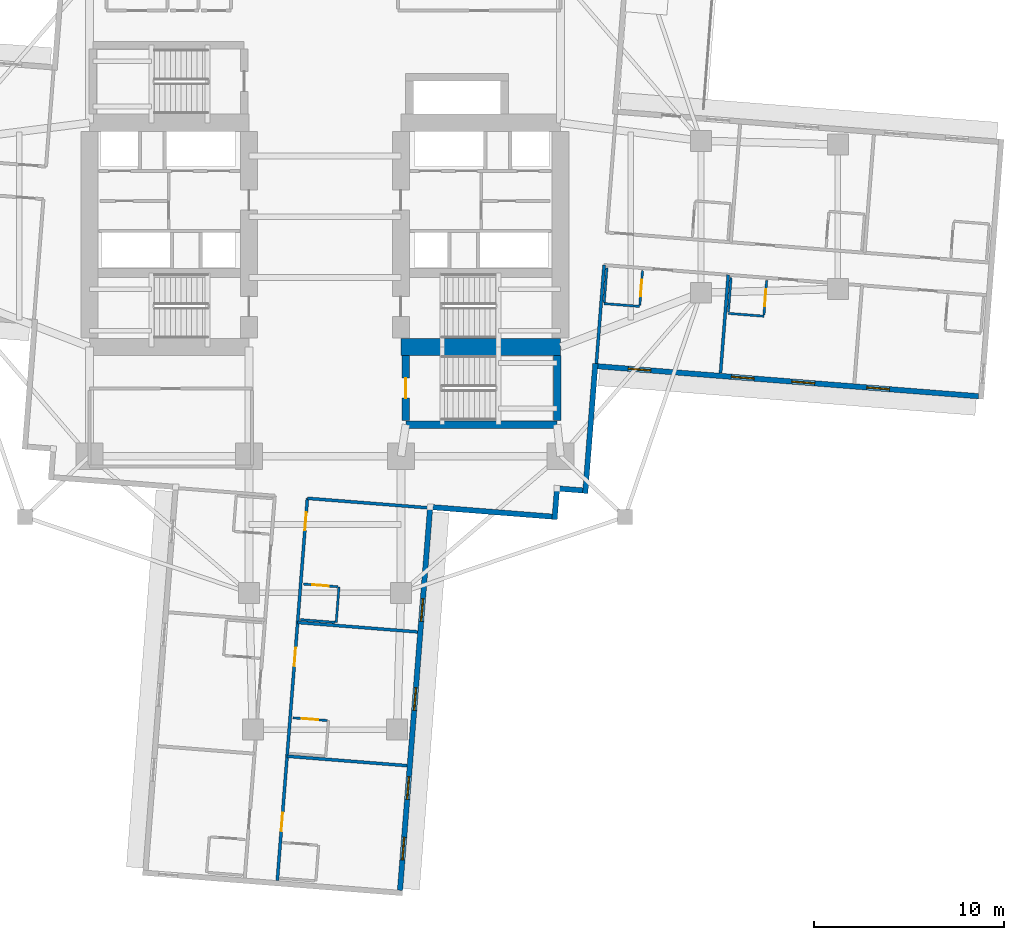
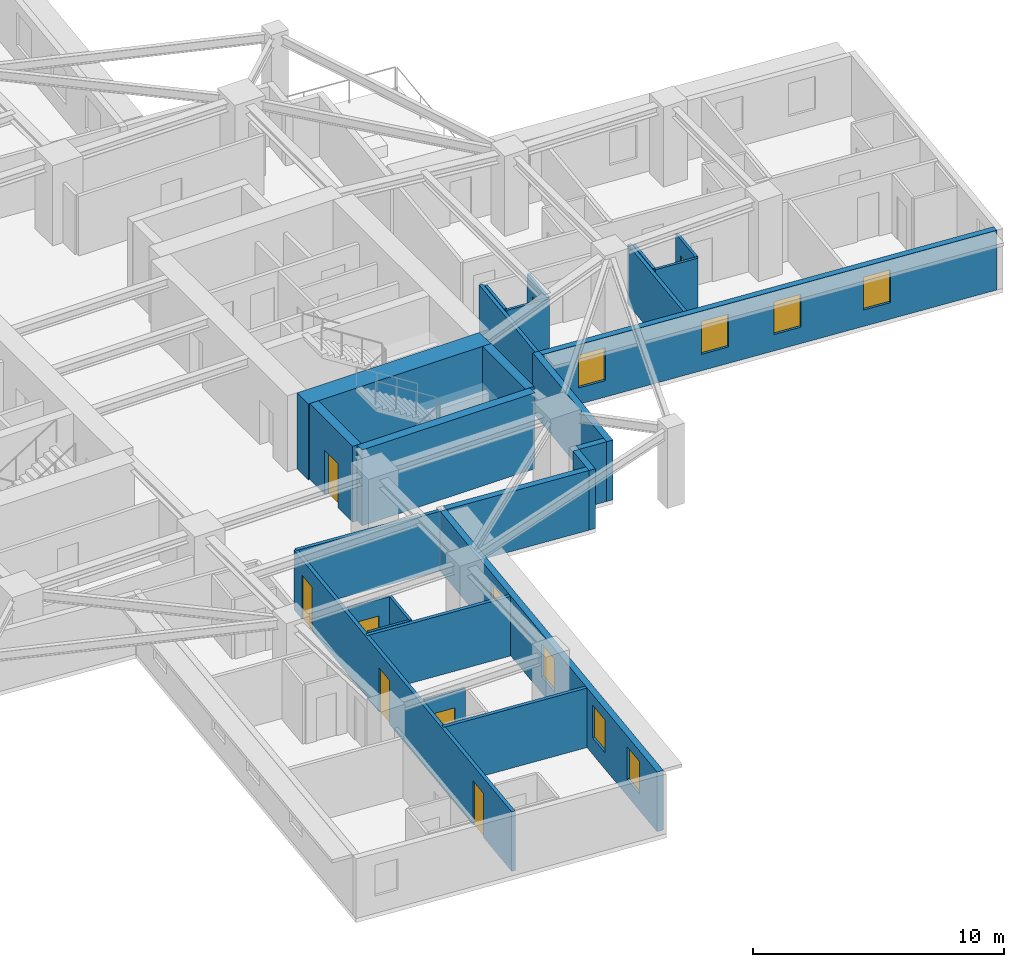
# One storey, part 4 of 14: 26 walls, 8 doors, 8 windows, 16 openings.
"""IFC4 building model written with IfcOpenShell, lengths in metres."""

from ifc_helpers import new_model, si_unit, direction, frame, frame_2d, origin, place, context, subcontext, project, spatial, rectangle, extrude, material, layer, layer_set, type_object, element, fill, save


model = new_model("IFC4")

# Units and contexts
model_context = context("Model", 3, precision=1e-05, world=origin(), true_north=direction((0.0, 1.0)))
body_context = subcontext(model_context, "Body", "Model", "MODEL_VIEW")
ifc_project = project(units=[si_unit("LENGTHUNIT", "METRE"), si_unit("AREAUNIT", "SQUARE_METRE"), si_unit("VOLUMEUNIT", "CUBIC_METRE"), si_unit("PLANEANGLEUNIT", "RADIAN"), si_unit("MASSUNIT", "GRAM", prefix="KILO")], contexts=[model_context])

# Site, building, storey
site_placement = place(None, origin())
site = spatial("IfcSite", under=ifc_project, at=site_placement, CompositionType="ELEMENT")
building_placement = place(site_placement, origin())
building = spatial("IfcBuilding", under=site, at=building_placement, Name="Qingluan Cross Belvedere", CompositionType="ELEMENT")
storey_placement = place(building_placement, frame((0.0, 0.0, 83.39990234375)))
storey = spatial("IfcBuildingStorey", under=building, at=storey_placement, Name="L21", CompositionType="ELEMENT", Elevation=83.39990234375)

# Wall
ifc_material_1 = material(Name="Concrete C50", Category="concrete")
ifc_layer_1 = layer(ifc_material_1, 0.449951171875, Name="CoreShearWall_450")
ifc_layer_set_1 = layer_set([ifc_layer_1], Name="Concrete C50")
wall_type_1 = type_object("IfcWallType", Name="CoreShearWall_450", PredefinedType="SHEAR", material=ifc_layer_set_1)
wall_1_placement = place(storey_placement, frame((4.260009765625, -10.93994140625, 0.0), z_axis=(0.0, 0.0, 1.0), x_axis=(1.0, 0.0, 0.0)))
element("IfcWall", 1, at=wall_1_placement, inside=storey, type_object=wall_type_1, Name="Stair ST4 structural wall S L21", PredefinedType="SHEAR", context=body_context, shape_type="SweptSolid", body=[
    extrude(rectangle(XDim=7.9599609375, YDim=0.39990234375, at=frame_2d((3.97998046875, 0.0))), origin(), (0.0, 0.0, 1.0), 3.7001953125),
])

# Wall, opening, door
wall_2_placement = place(storey_placement, frame((4.260009765625, -10.735107421875, 0.0), z_axis=(0.0, 0.0, 1.0), x_axis=(0.0, 1.0, 0.0)))
wall_2 = element("IfcWall", 2, at=wall_2_placement, inside=storey, type_object=wall_type_1, Name="Stair ST4 structural wall W L21", PredefinedType="SHEAR", context=body_context, shape_type="SweptSolid", body=[
    extrude(rectangle(XDim=3.43017578125, YDim=0.39990234375, at=frame_2d((1.715087890625, 0.0))), origin(), (0.0, 0.0, 1.0), 3.7001953125),
])
opening_1_placement = place(wall_2_placement, frame((1.18505859375, 0.0, 0.0)))
opening_1 = element("IfcOpeningElement", 3, at=opening_1_placement, cuts=wall_2, Name="Opening FD-B11", PredefinedType="OPENING", context=body_context, shape_type="SweptSolid", body=[
    extrude(rectangle(XDim=1.050048828125, YDim=2.14990234375, at=frame_2d((0.52490234375, 1.074951171875))), frame((0.0, 0.2099609375, 0.0), z_axis=(0.0, -1.0, 0.0), x_axis=(1.0, 0.0, 0.0)), (0.0, 0.0, 1.0), 0.419921875),
])
ifc_material_2 = material(Name="Steel Class B smoke-seal fire door", Category="steel")
door_type_1 = type_object("IfcDoorType", Name="StairLobbyFireDoor_FDB", OperationType="NOTDEFINED", PredefinedType="DOOR", material=ifc_material_2)
door_1_placement = place(opening_1_placement, origin())
door_1 = element("IfcDoor", 4, at=door_1_placement, inside=storey, type_object=door_type_1, Name="Smoke-proof stair ST4 fire door L21", OperationType="SINGLE_SWING_LEFT", OverallHeight=2.14990234375, OverallWidth=1.050048828125, PredefinedType="DOOR", context=body_context, shape_type="SweptSolid", body=[
    extrude(rectangle(XDim=1.050048828125, YDim=2.14990234375, at=frame_2d((0.52490234375, 1.074951171875))), frame((0.0, 0.02490234375, 0.0), z_axis=(0.0, -1.0, 0.0), x_axis=(1.0, 0.0, 0.0)), (0.0, 0.0, 1.0), 0.050048828125),
])
fill(opening_1, door_1)

# Walls
wall_3_placement = place(storey_placement, frame((12.219970703125, -10.735107421875, 0.0), z_axis=(0.0, 0.0, 1.0), x_axis=(0.0, 1.0, 0.0)))
element("IfcWall", 5, at=wall_3_placement, inside=storey, type_object=wall_type_1, Name="Stair ST4 structural wall E L21", PredefinedType="SHEAR", context=body_context, shape_type="SweptSolid", body=[
    extrude(rectangle(XDim=3.43017578125, YDim=0.39990234375, at=frame_2d((1.715087890625, 0.0))), origin(), (0.0, 0.0, 1.0), 3.7001953125),
])
ifc_material_3 = material(Name="Concrete C70", Category="concrete")
ifc_layer_2 = layer(ifc_material_3, 0.89990234375, Name="CoreShearWall_900")
ifc_layer_set_2 = layer_set([ifc_layer_2], Name="Concrete C70")
wall_type_2 = type_object("IfcWallType", Name="CoreShearWall_900", PredefinedType="SHEAR", material=ifc_layer_set_2)
wall_4_placement = place(storey_placement, frame((4.0, -6.85009765625, 0.0), z_axis=(0.0, 0.0, 1.0), x_axis=(1.0, 0.0, 0.0)))
element("IfcWall", 6, at=wall_4_placement, inside=storey, type_object=wall_type_2, Name="Split core E shear wall L21-S", PredefinedType="SHEAR", context=body_context, shape_type="SweptSolid", body=[
    extrude(rectangle(XDim=8.39990234375, YDim=0.89990234375, at=frame_2d((4.199951171875, 0.0))), origin(), (0.0, 0.0, 1.0), 3.7001953125),
])
ifc_material_4 = material(Name="Gypsum plasterboard on steel stud acoustic partition", Category="steel")
ifc_layer_3 = layer(ifc_material_4, 0.159912109375, Name="CorridorPartition_160")
ifc_layer_set_3 = layer_set([ifc_layer_3], Name="Gypsum plasterboard on steel stud acoustic partition")
wall_type_3 = type_object("IfcWallType", Name="CorridorPartition_160", PredefinedType="PARTITIONING", material=ifc_layer_set_3)
wall_5_placement = place(storey_placement, frame((14.69580078125, -2.541015625, 0.0), z_axis=(0.0, 0.0, 1.0), x_axis=(-0.078436841212, -0.996919084952, 0.0)))
element("IfcWall", 7, at=wall_5_placement, inside=storey, type_object=wall_type_3, Name="Partition L21:E:s1", PredefinedType="PARTITIONING", context=body_context, shape_type="SweptSolid", body=[
    extrude(rectangle(XDim=5.19189453125, YDim=0.159912109375, at=frame_2d((2.595947265625, 0.0))), origin(), (0.0, 0.0, 1.0), 2.900146484375),
])
wall_6_placement = place(storey_placement, frame((21.231689453125, -3.05517578125, 0.0), z_axis=(0.0, 0.0, 1.0), x_axis=(-0.078433164296, -0.996919374242, 0.0)))
element("IfcWall", 8, at=wall_6_placement, inside=storey, type_object=wall_type_3, Name="Partition L21:E:d1_0", PredefinedType="PARTITIONING", context=body_context, shape_type="SweptSolid", body=[
    extrude(rectangle(XDim=5.192138671875, YDim=0.159912109375, at=frame_2d((2.59619140625, 0.0))), origin(), (0.0, 0.0, 1.0), 2.900146484375),
])

# Wall, openings, doors
wall_7_placement = place(storey_placement, frame((-0.92578125, -14.822998046875, 0.0), z_axis=(0.0, 0.0, 1.0), x_axis=(-0.078460461943, -0.996917226209, 0.0)))
wall_7 = element("IfcWall", 9, at=wall_7_placement, inside=storey, type_object=wall_type_3, Name="Partition L21:S:c0", PredefinedType="PARTITIONING", context=body_context, shape_type="SweptSolid", body=[
    extrude(rectangle(XDim=20.18212890625, YDim=0.159912109375, at=frame_2d((10.091064453125, 0.0))), origin(), (0.0, 0.0, 1.0), 2.900146484375),
])
opening_2_placement = place(wall_7_placement, frame((0.73095703125, 0.0, 0.0)))
opening_2 = element("IfcOpeningElement", 10, at=opening_2_placement, cuts=wall_7, Name="Opening GD-10", PredefinedType="OPENING", context=body_context, shape_type="SweptSolid", body=[
    extrude(rectangle(XDim=0.9599609375, YDim=2.14990234375, at=frame_2d((0.47998046875, 1.074951171875))), frame((0.0, 0.08984375, 0.0), z_axis=(0.0, -1.0, 0.0), x_axis=(1.0, 0.0, 0.0)), (0.0, 0.0, 1.0), 0.179931640625),
])
opening_3_placement = place(wall_7_placement, frame((7.89599609375, 0.0, 0.0)))
opening_3 = element("IfcOpeningElement", 11, at=opening_3_placement, cuts=wall_7, Name="Opening GD-10", PredefinedType="OPENING", context=body_context, shape_type="SweptSolid", body=[
    extrude(rectangle(XDim=0.9599609375, YDim=2.14990234375, at=frame_2d((0.47998046875, 1.074951171875))), frame((0.0, 0.08984375, 0.0), z_axis=(0.0, -1.0, 0.0), x_axis=(1.0, 0.0, 0.0)), (0.0, 0.0, 1.0), 0.179931640625),
])
opening_4_placement = place(wall_7_placement, frame((16.611083984375, 0.0, 0.0)))
opening_4 = element("IfcOpeningElement", 12, at=opening_4_placement, cuts=wall_7, Name="Opening GD-10", PredefinedType="OPENING", context=body_context, shape_type="SweptSolid", body=[
    extrude(rectangle(XDim=0.9599609375, YDim=2.14990234375, at=frame_2d((0.47998046875, 1.074951171875))), frame((0.0, 0.08984375, 0.0), z_axis=(0.0, -1.0, 0.0), x_axis=(1.0, 0.0, 0.0)), (0.0, 0.0, 1.0), 0.179931640625),
])
ifc_material_5 = material(Name="Timber oak fire-rated acoustic guestroom door", Category="wood")
door_type_2 = type_object("IfcDoorType", Name="GuestEntryDoor_FD60", OperationType="NOTDEFINED", PredefinedType="DOOR", material=ifc_material_5)
door_2_placement = place(opening_2_placement, origin())
door_2 = element("IfcDoor", 13, at=door_2_placement, inside=storey, type_object=door_type_2, Name="Guest entry fire door 2113", OperationType="SINGLE_SWING_LEFT", OverallHeight=2.14990234375, OverallWidth=0.9599609375, PredefinedType="DOOR", context=body_context, shape_type="SweptSolid", body=[
    extrude(rectangle(XDim=0.9599609375, YDim=2.14990234375, at=frame_2d((0.47998046875, 1.074951171875))), frame((0.0, 0.02490234375, 0.0), z_axis=(0.0, -1.0, 0.0), x_axis=(1.0, 0.0, 0.0)), (0.0, 0.0, 1.0), 0.050048828125),
])
fill(opening_2, door_2)
door_3_placement = place(opening_3_placement, origin())
door_3 = element("IfcDoor", 14, at=door_3_placement, inside=storey, type_object=door_type_2, Name="Guest entry fire door 2114", OperationType="SINGLE_SWING_LEFT", OverallHeight=2.14990234375, OverallWidth=0.9599609375, PredefinedType="DOOR", context=body_context, shape_type="SweptSolid", body=[
    extrude(rectangle(XDim=0.9599609375, YDim=2.14990234375, at=frame_2d((0.47998046875, 1.074951171875))), frame((0.0, 0.02490234375, 0.0), z_axis=(0.0, -1.0, 0.0), x_axis=(1.0, 0.0, 0.0)), (0.0, 0.0, 1.0), 0.050048828125),
])
fill(opening_3, door_3)
door_4_placement = place(opening_4_placement, origin())
door_4 = element("IfcDoor", 15, at=door_4_placement, inside=storey, type_object=door_type_2, Name="Guest entry fire door 2115", OperationType="SINGLE_SWING_LEFT", OverallHeight=2.14990234375, OverallWidth=0.9599609375, PredefinedType="DOOR", context=body_context, shape_type="SweptSolid", body=[
    extrude(rectangle(XDim=0.9599609375, YDim=2.14990234375, at=frame_2d((0.47998046875, 1.074951171875))), frame((0.0, 0.02490234375, 0.0), z_axis=(0.0, -1.0, 0.0), x_axis=(1.0, 0.0, 0.0)), (0.0, 0.0, 1.0), 0.050048828125),
])
fill(opening_4, door_4)

# Walls
wall_8_placement = place(storey_placement, frame((-0.92578125, -14.822998046875, 0.0), z_axis=(0.0, 0.0, 1.0), x_axis=(0.99691570434, -0.078479796377, 0.0)))
element("IfcWall", 16, at=wall_8_placement, inside=storey, type_object=wall_type_3, Name="Partition L21:S:s0", PredefinedType="PARTITIONING", context=body_context, shape_type="SweptSolid", body=[
    extrude(rectangle(XDim=6.47998046875, YDim=0.159912109375, at=frame_2d((3.239990234375, 0.0))), origin(), (0.0, 0.0, 1.0), 2.900146484375),
])
wall_9_placement = place(storey_placement, frame((-1.440185546875, -21.35888671875, 0.0), z_axis=(0.0, 0.0, 1.0), x_axis=(0.996917066323, -0.078462493424, 0.0)))
element("IfcWall", 17, at=wall_9_placement, inside=storey, type_object=wall_type_3, Name="Partition L21:S:d0_0", PredefinedType="PARTITIONING", context=body_context, shape_type="SweptSolid", body=[
    extrude(rectangle(XDim=6.33203125, YDim=0.159912109375, at=frame_2d((3.166015625, 0.0))), origin(), (0.0, 0.0, 1.0), 2.900146484375),
])
wall_10_placement = place(storey_placement, frame((-1.994384765625, -28.402099609375, 0.0), z_axis=(0.0, 0.0, 1.0), x_axis=(0.996916828941, -0.078465509453, 0.0)))
element("IfcWall", 18, at=wall_10_placement, inside=storey, type_object=wall_type_3, Name="Partition L21:S:d0_1", PredefinedType="PARTITIONING", context=body_context, shape_type="SweptSolid", body=[
    extrude(rectangle(XDim=6.331787109375, YDim=0.159912109375, at=frame_2d((3.166015625, 0.0))), origin(), (0.0, 0.0, 1.0), 2.900146484375),
])

# Wall, opening, door
ifc_material_6 = material(Name="Moisture-resistant gypsum board lining")
ifc_layer_4 = layer(ifc_material_6, 0.1201171875, Name="EnsuiteWetPartition_120")
ifc_layer_set_4 = layer_set([ifc_layer_4], Name="Moisture-resistant gypsum board lining")
wall_type_4 = type_object("IfcWallType", Name="EnsuiteWetPartition_120", PredefinedType="PARTITIONING", material=ifc_layer_set_4)
wall_11_placement = place(storey_placement, frame((16.575927734375, -4.65478515625, 0.0), z_axis=(0.0, 0.0, 1.0), x_axis=(0.078481444107, 0.996915574626, 0.0)))
wall_11 = element("IfcWall", 19, at=wall_11_placement, inside=storey, type_object=wall_type_4, Name="Partition L21:E:bs1_0", PredefinedType="PARTITIONING", context=body_context, shape_type="SweptSolid", body=[
    extrude(rectangle(XDim=1.81982421875, YDim=0.1201171875, at=frame_2d((0.909912109375, 0.0))), origin(), (0.0, 0.0, 1.0), 2.900146484375),
])
opening_5_placement = place(wall_11_placement, frame((0.469970703125, 0.0, 0.0)))
opening_5 = element("IfcOpeningElement", 20, at=opening_5_placement, cuts=wall_11, Name="Opening BD-09", PredefinedType="OPENING", context=body_context, shape_type="SweptSolid", body=[
    extrude(rectangle(XDim=0.8798828125, YDim=2.10009765625, at=frame_2d((0.43994140625, 1.050048828125))), frame((0.0, 0.070068359375, 0.0), z_axis=(0.0, -1.0, 0.0), x_axis=(1.0, 0.0, 0.0)), (0.0, 0.0, 1.0), 0.14013671875),
])
ifc_material_7 = material(Name="Moisture-sealed timber en-suite door", Category="wood")
door_type_3 = type_object("IfcDoorType", Name="BathroomDoor_880", OperationType="NOTDEFINED", PredefinedType="DOOR", material=ifc_material_7)
door_5_placement = place(opening_5_placement, origin())
door_5 = element("IfcDoor", 21, at=door_5_placement, inside=storey, type_object=door_type_3, Name="Bathroom door 2104", OperationType="SINGLE_SWING_RIGHT", OverallHeight=2.10009765625, OverallWidth=0.8798828125, PredefinedType="DOOR", context=body_context, shape_type="SweptSolid", body=[
    extrude(rectangle(XDim=0.8798828125, YDim=2.10009765625, at=frame_2d((0.43994140625, 1.050048828125))), frame((0.0, 0.02490234375, 0.0), z_axis=(0.0, -1.0, 0.0), x_axis=(1.0, 0.0, 0.0)), (0.0, 0.0, 1.0), 0.050048828125),
])
fill(opening_5, door_5)

# Walls
wall_12_placement = place(storey_placement, frame((14.70166015625, -4.50732421875, 0.0), z_axis=(0.0, 0.0, 1.0), x_axis=(0.078481444107, 0.996915574626, 0.0)))
element("IfcWall", 22, at=wall_12_placement, inside=storey, type_object=wall_type_4, Name="Partition L21:E:bw1_0", PredefinedType="PARTITIONING", context=body_context, shape_type="SweptSolid", body=[
    extrude(rectangle(XDim=1.81982421875, YDim=0.1201171875, at=frame_2d((0.909912109375, 0.0))), origin(), (0.0, 0.0, 1.0), 2.900146484375),
])
wall_13_placement = place(storey_placement, frame((14.696533203125, -4.572265625, 0.0), z_axis=(0.0, 0.0, 1.0), x_axis=(0.996919293781, -0.07843418698, 0.0)))
element("IfcWall", 23, at=wall_13_placement, inside=storey, type_object=wall_type_4, Name="Partition L21:E:bc1_0", PredefinedType="PARTITIONING", context=body_context, shape_type="SweptSolid", body=[
    extrude(rectangle(XDim=1.880126953125, YDim=0.1201171875, at=frame_2d((0.93994140625, 0.0))), origin(), (0.0, 0.0, 1.0), 2.900146484375),
])

# Wall, opening, door
wall_14_placement = place(storey_placement, frame((23.11181640625, -5.169189453125, 0.0), z_axis=(0.0, 0.0, 1.0), x_axis=(0.078348112001, 0.996926062126, 0.0)))
wall_14 = element("IfcWall", 24, at=wall_14_placement, inside=storey, type_object=wall_type_4, Name="Partition L21:E:bs1_1", PredefinedType="PARTITIONING", context=body_context, shape_type="SweptSolid", body=[
    extrude(rectangle(XDim=1.81982421875, YDim=0.1201171875, at=frame_2d((0.909912109375, 0.0))), origin(), (0.0, 0.0, 1.0), 2.900146484375),
])
opening_6_placement = place(wall_14_placement, frame((0.469970703125, 0.0, 0.0)))
opening_6 = element("IfcOpeningElement", 25, at=opening_6_placement, cuts=wall_14, Name="Opening BD-09", PredefinedType="OPENING", context=body_context, shape_type="SweptSolid", body=[
    extrude(rectangle(XDim=0.8798828125, YDim=2.10009765625, at=frame_2d((0.43994140625, 1.050048828125))), frame((0.0, 0.070068359375, 0.0), z_axis=(0.0, -1.0, 0.0), x_axis=(1.0, 0.0, 0.0)), (0.0, 0.0, 1.0), 0.14013671875),
])
door_6_placement = place(opening_6_placement, origin())
door_6 = element("IfcDoor", 26, at=door_6_placement, inside=storey, type_object=door_type_3, Name="Bathroom door 2105", OperationType="SINGLE_SWING_RIGHT", OverallHeight=2.10009765625, OverallWidth=0.8798828125, PredefinedType="DOOR", context=body_context, shape_type="SweptSolid", body=[
    extrude(rectangle(XDim=0.8798828125, YDim=2.10009765625, at=frame_2d((0.43994140625, 1.050048828125))), frame((0.0, 0.02490234375, 0.0), z_axis=(0.0, -1.0, 0.0), x_axis=(1.0, 0.0, 0.0)), (0.0, 0.0, 1.0), 0.050048828125),
])
fill(opening_6, door_6)

# Walls
wall_15_placement = place(storey_placement, frame((21.237548828125, -5.021728515625, 0.0), z_axis=(0.0, 0.0, 1.0), x_axis=(0.078481444107, 0.996915574626, 0.0)))
element("IfcWall", 27, at=wall_15_placement, inside=storey, type_object=wall_type_4, Name="Partition L21:E:bw1_1", PredefinedType="PARTITIONING", context=body_context, shape_type="SweptSolid", body=[
    extrude(rectangle(XDim=1.81982421875, YDim=0.1201171875, at=frame_2d((0.909912109375, 0.0))), origin(), (0.0, 0.0, 1.0), 2.900146484375),
])
wall_16_placement = place(storey_placement, frame((21.232421875, -5.086669921875, 0.0), z_axis=(0.0, 0.0, 1.0), x_axis=(0.996919293781, -0.07843418698, 0.0)))
element("IfcWall", 28, at=wall_16_placement, inside=storey, type_object=wall_type_4, Name="Partition L21:E:bc1_1", PredefinedType="PARTITIONING", context=body_context, shape_type="SweptSolid", body=[
    extrude(rectangle(XDim=1.880126953125, YDim=0.1201171875, at=frame_2d((0.93994140625, 0.0))), origin(), (0.0, 0.0, 1.0), 2.900146484375),
])

# Wall, opening, door
wall_17_placement = place(storey_placement, frame((-1.140625, -19.336181640625, 0.0), z_axis=(0.0, 0.0, 1.0), x_axis=(0.996916400774, -0.0784709492, 0.0)))
wall_17 = element("IfcWall", 29, at=wall_17_placement, inside=storey, type_object=wall_type_4, Name="Partition L21:S:bs0_0", PredefinedType="PARTITIONING", context=body_context, shape_type="SweptSolid", body=[
    extrude(rectangle(XDim=1.820068359375, YDim=0.1201171875, at=frame_2d((0.91015625, 0.0))), origin(), (0.0, 0.0, 1.0), 2.900146484375),
])
opening_7_placement = place(wall_17_placement, frame((0.469970703125, 0.0, 0.0)))
opening_7 = element("IfcOpeningElement", 30, at=opening_7_placement, cuts=wall_17, Name="Opening BD-09", PredefinedType="OPENING", context=body_context, shape_type="SweptSolid", body=[
    extrude(rectangle(XDim=0.8798828125, YDim=2.10009765625, at=frame_2d((0.43994140625, 1.050048828125))), frame((0.0, 0.070068359375, 0.0), z_axis=(0.0, -1.0, 0.0), x_axis=(1.0, 0.0, 0.0)), (0.0, 0.0, 1.0), 0.14013671875),
])
door_7_placement = place(opening_7_placement, origin())
door_7 = element("IfcDoor", 31, at=door_7_placement, inside=storey, type_object=door_type_3, Name="Bathroom door 2113", OperationType="SINGLE_SWING_RIGHT", OverallHeight=2.10009765625, OverallWidth=0.8798828125, PredefinedType="DOOR", context=body_context, shape_type="SweptSolid", body=[
    extrude(rectangle(XDim=0.8798828125, YDim=2.10009765625, at=frame_2d((0.43994140625, 1.050048828125))), frame((0.0, 0.02490234375, 0.0), z_axis=(0.0, -1.0, 0.0), x_axis=(1.0, 0.0, 0.0)), (0.0, 0.0, 1.0), 0.050048828125),
])
fill(opening_7, door_7)

# Walls
wall_18_placement = place(storey_placement, frame((-1.2880859375, -21.210205078125, 0.0), z_axis=(0.0, 0.0, 1.0), x_axis=(0.996916400774, -0.0784709492, 0.0)))
element("IfcWall", 32, at=wall_18_placement, inside=storey, type_object=wall_type_4, Name="Partition L21:S:bw0_0", PredefinedType="PARTITIONING", context=body_context, shape_type="SweptSolid", body=[
    extrude(rectangle(XDim=1.820068359375, YDim=0.1201171875, at=frame_2d((0.91015625, 0.0))), origin(), (0.0, 0.0, 1.0), 2.900146484375),
])
wall_19_placement = place(storey_placement, frame((0.738525390625, -19.48388671875, 0.0), z_axis=(0.0, 0.0, 1.0), x_axis=(-0.07843418698, -0.996919293781, 0.0)))
element("IfcWall", 33, at=wall_19_placement, inside=storey, type_object=wall_type_4, Name="Partition L21:S:bn0_0", PredefinedType="PARTITIONING", context=body_context, shape_type="SweptSolid", body=[
    extrude(rectangle(XDim=1.880126953125, YDim=0.1201171875, at=frame_2d((0.93994140625, 0.0))), origin(), (0.0, 0.0, 1.0), 2.900146484375),
])

# Wall, opening, door
wall_20_placement = place(storey_placement, frame((-1.69482421875, -26.37939453125, 0.0), z_axis=(0.0, 0.0, 1.0), x_axis=(0.996915574626, -0.078481444107, 0.0)))
wall_20 = element("IfcWall", 34, at=wall_20_placement, inside=storey, type_object=wall_type_4, Name="Partition L21:S:bs0_1", PredefinedType="PARTITIONING", context=body_context, shape_type="SweptSolid", body=[
    extrude(rectangle(XDim=1.81982421875, YDim=0.1201171875, at=frame_2d((0.909912109375, 0.0))), origin(), (0.0, 0.0, 1.0), 2.900146484375),
])
opening_8_placement = place(wall_20_placement, frame((0.469970703125, 0.0, 0.0)))
opening_8 = element("IfcOpeningElement", 35, at=opening_8_placement, cuts=wall_20, Name="Opening BD-09", PredefinedType="OPENING", context=body_context, shape_type="SweptSolid", body=[
    extrude(rectangle(XDim=0.8798828125, YDim=2.10009765625, at=frame_2d((0.43994140625, 1.050048828125))), frame((0.0, 0.070068359375, 0.0), z_axis=(0.0, -1.0, 0.0), x_axis=(1.0, 0.0, 0.0)), (0.0, 0.0, 1.0), 0.14013671875),
])
door_8_placement = place(opening_8_placement, origin())
door_8 = element("IfcDoor", 36, at=door_8_placement, inside=storey, type_object=door_type_3, Name="Bathroom door 2114", OperationType="SINGLE_SWING_RIGHT", OverallHeight=2.10009765625, OverallWidth=0.8798828125, PredefinedType="DOOR", context=body_context, shape_type="SweptSolid", body=[
    extrude(rectangle(XDim=0.8798828125, YDim=2.10009765625, at=frame_2d((0.43994140625, 1.050048828125))), frame((0.0, 0.02490234375, 0.0), z_axis=(0.0, -1.0, 0.0), x_axis=(1.0, 0.0, 0.0)), (0.0, 0.0, 1.0), 0.050048828125),
])
fill(opening_8, door_8)

# Wall, openings, windows
ifc_material_8 = material(Name="Precast concrete C45", Category="concrete")
ifc_layer_5 = layer(ifc_material_8, 0.280029296875, Name="PrecastFacadeWall_280")
ifc_layer_set_5 = layer_set([ifc_layer_5], Name="Precast concrete C45")
wall_type_5 = type_object("IfcWallType", Name="PrecastFacadeWall_280", PredefinedType="STANDARD", material=ifc_layer_set_5)
wall_21_placement = place(storey_placement, frame((14.36669921875, -7.87158203125, 0.0), z_axis=(0.0, 0.0, 1.0), x_axis=(0.996917828963, -0.078452802979, 0.0)))
wall_21 = element("IfcWall", 37, at=wall_21_placement, inside=storey, type_object=wall_type_5, Name="Facade wall L21-EA", PredefinedType="STANDARD", context=body_context, shape_type="SweptSolid", body=[
    extrude(rectangle(XDim=20.10009765625, YDim=0.280029296875, at=frame_2d((10.050048828125, 0.0))), origin(), (0.0, 0.0, 1.0), 2.91015625),
])
opening_9_placement = place(wall_21_placement, frame((1.60009765625, 0.0, 0.800048828125)))
opening_9 = element("IfcOpeningElement", 38, at=opening_9_placement, cuts=wall_21, Name="Opening W-02", PredefinedType="OPENING", context=body_context, shape_type="SweptSolid", body=[
    extrude(rectangle(XDim=1.199951171875, YDim=1.60009765625, at=frame_2d((0.60009765625, 0.800048828125))), frame((0.0, 0.14990234375, 0.0), z_axis=(0.0, -1.0, 0.0), x_axis=(1.0, 0.0, 0.0)), (0.0, 0.0, 1.0), 0.300048828125),
])
opening_10_placement = place(wall_21_placement, frame((7.050048828125, 0.0, 0.800048828125)))
opening_10 = element("IfcOpeningElement", 39, at=opening_10_placement, cuts=wall_21, Name="Opening W-02", PredefinedType="OPENING", context=body_context, shape_type="SweptSolid", body=[
    extrude(rectangle(XDim=1.199951171875, YDim=1.60009765625, at=frame_2d((0.60009765625, 0.800048828125))), frame((0.0, 0.14990234375, 0.0), z_axis=(0.0, -1.0, 0.0), x_axis=(1.0, 0.0, 0.0)), (0.0, 0.0, 1.0), 0.300048828125),
])
opening_11_placement = place(wall_21_placement, frame((10.25, 0.0, 0.800048828125)))
opening_11 = element("IfcOpeningElement", 40, at=opening_11_placement, cuts=wall_21, Name="Opening W-02", PredefinedType="OPENING", context=body_context, shape_type="SweptSolid", body=[
    extrude(rectangle(XDim=1.199951171875, YDim=1.60009765625, at=frame_2d((0.60009765625, 0.800048828125))), frame((0.0, 0.14990234375, 0.0), z_axis=(0.0, -1.0, 0.0), x_axis=(1.0, 0.0, 0.0)), (0.0, 0.0, 1.0), 0.300048828125),
])
opening_12_placement = place(wall_21_placement, frame((14.199951171875, 0.0, 0.800048828125)))
opening_12 = element("IfcOpeningElement", 41, at=opening_12_placement, cuts=wall_21, Name="Opening W-02", PredefinedType="OPENING", context=body_context, shape_type="SweptSolid", body=[
    extrude(rectangle(XDim=1.199951171875, YDim=1.60009765625, at=frame_2d((0.60009765625, 0.800048828125))), frame((0.0, 0.14990234375, 0.0), z_axis=(0.0, -1.0, 0.0), x_axis=(1.0, 0.0, 0.0)), (0.0, 0.0, 1.0), 0.300048828125),
])
ifc_material_9 = material(Name="Thermally broken triple Low-E glass in aluminium frame", Category="aluminium")
window_type = type_object("IfcWindowType", Name="TriRibbonWin_1200x1600", PartitioningType="SINGLE_PANEL", PredefinedType="WINDOW", material=ifc_material_9)
window_1_placement = place(opening_9_placement, origin())
window_1 = element("IfcWindow", 42, at=window_1_placement, inside=storey, type_object=window_type, Name="Ribbon window L21-EA-1", OverallHeight=1.60009765625, OverallWidth=1.199951171875, PartitioningType="SINGLE_PANEL", PredefinedType="WINDOW", context=body_context, shape_type="SweptSolid", body=[
    extrude(rectangle(XDim=1.199951171875, YDim=1.60009765625, at=frame_2d((0.60009765625, 0.800048828125))), frame((0.0, 0.030029296875, 0.0), z_axis=(0.0, -1.0, 0.0), x_axis=(1.0, 0.0, 0.0)), (0.0, 0.0, 1.0), 0.06005859375),
])
fill(opening_9, window_1)
window_2_placement = place(opening_10_placement, origin())
window_2 = element("IfcWindow", 43, at=window_2_placement, inside=storey, type_object=window_type, Name="Ribbon window L21-EA-2", OverallHeight=1.60009765625, OverallWidth=1.199951171875, PartitioningType="SINGLE_PANEL", PredefinedType="WINDOW", context=body_context, shape_type="SweptSolid", body=[
    extrude(rectangle(XDim=1.199951171875, YDim=1.60009765625, at=frame_2d((0.60009765625, 0.800048828125))), frame((0.0, 0.030029296875, 0.0), z_axis=(0.0, -1.0, 0.0), x_axis=(1.0, 0.0, 0.0)), (0.0, 0.0, 1.0), 0.06005859375),
])
fill(opening_10, window_2)
window_3_placement = place(opening_11_placement, origin())
window_3 = element("IfcWindow", 44, at=window_3_placement, inside=storey, type_object=window_type, Name="Ribbon window L21-EA-3", OverallHeight=1.60009765625, OverallWidth=1.199951171875, PartitioningType="SINGLE_PANEL", PredefinedType="WINDOW", context=body_context, shape_type="SweptSolid", body=[
    extrude(rectangle(XDim=1.199951171875, YDim=1.60009765625, at=frame_2d((0.60009765625, 0.800048828125))), frame((0.0, 0.030029296875, 0.0), z_axis=(0.0, -1.0, 0.0), x_axis=(1.0, 0.0, 0.0)), (0.0, 0.0, 1.0), 0.06005859375),
])
fill(opening_11, window_3)
window_4_placement = place(opening_12_placement, origin())
window_4 = element("IfcWindow", 45, at=window_4_placement, inside=storey, type_object=window_type, Name="Ribbon window L21-EA-4", OverallHeight=1.60009765625, OverallWidth=1.199951171875, PartitioningType="SINGLE_PANEL", PredefinedType="WINDOW", context=body_context, shape_type="SweptSolid", body=[
    extrude(rectangle(XDim=1.199951171875, YDim=1.60009765625, at=frame_2d((0.60009765625, 0.800048828125))), frame((0.0, 0.030029296875, 0.0), z_axis=(0.0, -1.0, 0.0), x_axis=(1.0, 0.0, 0.0)), (0.0, 0.0, 1.0), 0.06005859375),
])
fill(opening_12, window_4)

wall_22_placement = place(storey_placement, frame((3.9501953125, -35.459228515625, 0.0), z_axis=(0.0, 0.0, 1.0), x_axis=(0.078452802979, 0.996917828963, 0.0)))
wall_22 = element("IfcWall", 46, at=wall_22_placement, inside=storey, type_object=wall_type_5, Name="Facade wall L21-SB", PredefinedType="STANDARD", context=body_context, shape_type="SweptSolid", body=[
    extrude(rectangle(XDim=20.10009765625, YDim=0.280029296875, at=frame_2d((10.050048828125, 0.0))), origin(), (0.0, 0.0, 1.0), 2.91015625),
])
opening_13_placement = place(wall_22_placement, frame((1.60009765625, 0.0, 0.800048828125)))
opening_13 = element("IfcOpeningElement", 47, at=opening_13_placement, cuts=wall_22, Name="Opening W-02", PredefinedType="OPENING", context=body_context, shape_type="SweptSolid", body=[
    extrude(rectangle(XDim=1.199951171875, YDim=1.60009765625, at=frame_2d((0.60009765625, 0.800048828125))), frame((0.0, 0.14990234375, 0.0), z_axis=(0.0, -1.0, 0.0), x_axis=(1.0, 0.0, 0.0)), (0.0, 0.0, 1.0), 0.300048828125),
])
opening_14_placement = place(wall_22_placement, frame((4.800048828125, 0.0, 0.800048828125)))
opening_14 = element("IfcOpeningElement", 48, at=opening_14_placement, cuts=wall_22, Name="Opening W-02", PredefinedType="OPENING", context=body_context, shape_type="SweptSolid", body=[
    extrude(rectangle(XDim=1.199951171875, YDim=1.60009765625, at=frame_2d((0.60009765625, 0.800048828125))), frame((0.0, 0.14990234375, 0.0), z_axis=(0.0, -1.0, 0.0), x_axis=(1.0, 0.0, 0.0)), (0.0, 0.0, 1.0), 0.300048828125),
])
opening_15_placement = place(wall_22_placement, frame((9.5, 0.0, 0.800048828125)))
opening_15 = element("IfcOpeningElement", 49, at=opening_15_placement, cuts=wall_22, Name="Opening W-02", PredefinedType="OPENING", context=body_context, shape_type="SweptSolid", body=[
    extrude(rectangle(XDim=1.199951171875, YDim=1.60009765625, at=frame_2d((0.60009765625, 0.800048828125))), frame((0.0, 0.14990234375, 0.0), z_axis=(0.0, -1.0, 0.0), x_axis=(1.0, 0.0, 0.0)), (0.0, 0.0, 1.0), 0.300048828125),
])
opening_16_placement = place(wall_22_placement, frame((14.199951171875, 0.0, 0.800048828125)))
opening_16 = element("IfcOpeningElement", 50, at=opening_16_placement, cuts=wall_22, Name="Opening W-02", PredefinedType="OPENING", context=body_context, shape_type="SweptSolid", body=[
    extrude(rectangle(XDim=1.199951171875, YDim=1.60009765625, at=frame_2d((0.60009765625, 0.800048828125))), frame((0.0, 0.14990234375, 0.0), z_axis=(0.0, -1.0, 0.0), x_axis=(1.0, 0.0, 0.0)), (0.0, 0.0, 1.0), 0.300048828125),
])
window_5_placement = place(opening_13_placement, origin())
window_5 = element("IfcWindow", 51, at=window_5_placement, inside=storey, type_object=window_type, Name="Ribbon window L21-SB-1", OverallHeight=1.60009765625, OverallWidth=1.199951171875, PartitioningType="SINGLE_PANEL", PredefinedType="WINDOW", context=body_context, shape_type="SweptSolid", body=[
    extrude(rectangle(XDim=1.199951171875, YDim=1.60009765625, at=frame_2d((0.60009765625, 0.800048828125))), frame((0.0, 0.030029296875, 0.0), z_axis=(0.0, -1.0, 0.0), x_axis=(1.0, 0.0, 0.0)), (0.0, 0.0, 1.0), 0.06005859375),
])
fill(opening_13, window_5)
window_6_placement = place(opening_14_placement, origin())
window_6 = element("IfcWindow", 52, at=window_6_placement, inside=storey, type_object=window_type, Name="Ribbon window L21-SB-2", OverallHeight=1.60009765625, OverallWidth=1.199951171875, PartitioningType="SINGLE_PANEL", PredefinedType="WINDOW", context=body_context, shape_type="SweptSolid", body=[
    extrude(rectangle(XDim=1.199951171875, YDim=1.60009765625, at=frame_2d((0.60009765625, 0.800048828125))), frame((0.0, 0.030029296875, 0.0), z_axis=(0.0, -1.0, 0.0), x_axis=(1.0, 0.0, 0.0)), (0.0, 0.0, 1.0), 0.06005859375),
])
fill(opening_14, window_6)
window_7_placement = place(opening_15_placement, origin())
window_7 = element("IfcWindow", 53, at=window_7_placement, inside=storey, type_object=window_type, Name="Ribbon window L21-SB-3", OverallHeight=1.60009765625, OverallWidth=1.199951171875, PartitioningType="SINGLE_PANEL", PredefinedType="WINDOW", context=body_context, shape_type="SweptSolid", body=[
    extrude(rectangle(XDim=1.199951171875, YDim=1.60009765625, at=frame_2d((0.60009765625, 0.800048828125))), frame((0.0, 0.030029296875, 0.0), z_axis=(0.0, -1.0, 0.0), x_axis=(1.0, 0.0, 0.0)), (0.0, 0.0, 1.0), 0.06005859375),
])
fill(opening_15, window_7)
window_8_placement = place(opening_16_placement, origin())
window_8 = element("IfcWindow", 54, at=window_8_placement, inside=storey, type_object=window_type, Name="Ribbon window L21-SB-4", OverallHeight=1.60009765625, OverallWidth=1.199951171875, PartitioningType="SINGLE_PANEL", PredefinedType="WINDOW", context=body_context, shape_type="SweptSolid", body=[
    extrude(rectangle(XDim=1.199951171875, YDim=1.60009765625, at=frame_2d((0.60009765625, 0.800048828125))), frame((0.0, 0.030029296875, 0.0), z_axis=(0.0, -1.0, 0.0), x_axis=(1.0, 0.0, 0.0)), (0.0, 0.0, 1.0), 0.06005859375),
])
fill(opening_16, window_8)

# Walls
wall_23_placement = place(storey_placement, frame((14.238037109375, -7.720947265625, 0.0), z_axis=(0.0, 0.0, 1.0), x_axis=(-0.078438149236, -0.996918982036, 0.0)))
element("IfcWall", 55, at=wall_23_placement, inside=storey, type_object=wall_type_5, Name="Corner wall L21-SE1", PredefinedType="STANDARD", context=body_context, shape_type="SweptSolid", body=[
    extrude(rectangle(XDim=6.860107421875, YDim=0.280029296875, at=frame_2d((3.43017578125, 0.0))), origin(), (0.0, 0.0, 1.0), 2.91015625),
])
wall_24_placement = place(storey_placement, frame((13.5712890625, -14.4091796875, 0.0), z_axis=(0.0, 0.0, 1.0), x_axis=(-0.996918772, 0.078440818672, 0.0)))
element("IfcWall", 56, at=wall_24_placement, inside=storey, type_object=wall_type_5, Name="Corner wall L21-SE2", PredefinedType="STANDARD", context=body_context, shape_type="SweptSolid", body=[
    extrude(rectangle(XDim=1.219970703125, YDim=0.280029296875, at=frame_2d((0.60986328125, 0.0))), origin(), (0.0, 0.0, 1.0), 2.91015625),
])
wall_25_placement = place(storey_placement, frame((12.20458984375, -14.442138671875, 0.0), z_axis=(0.0, 0.0, 1.0), x_axis=(-0.078451338629, -0.9969179442, 0.0)))
element("IfcWall", 57, at=wall_25_placement, inside=storey, type_object=wall_type_5, Name="Corner wall L21-SE3", PredefinedType="STANDARD", context=body_context, shape_type="SweptSolid", body=[
    extrude(rectangle(XDim=1.5, YDim=0.280029296875, at=frame_2d((0.75, 0.0))), origin(), (0.0, 0.0, 1.0), 2.91015625),
])
wall_26_placement = place(storey_placement, frame((11.958251953125, -15.786865234375, 0.0), z_axis=(0.0, 0.0, 1.0), x_axis=(-0.996916125428, 0.078474447191, 0.0)))
element("IfcWall", 58, at=wall_26_placement, inside=storey, type_object=wall_type_5, Name="Corner wall L21-SE4", PredefinedType="STANDARD", context=body_context, shape_type="SweptSolid", body=[
    extrude(rectangle(XDim=6.300048828125, YDim=0.280029296875, at=frame_2d((3.14990234375, 0.0))), origin(), (0.0, 0.0, 1.0), 2.91015625),
])

save(model, "model.ifc")
